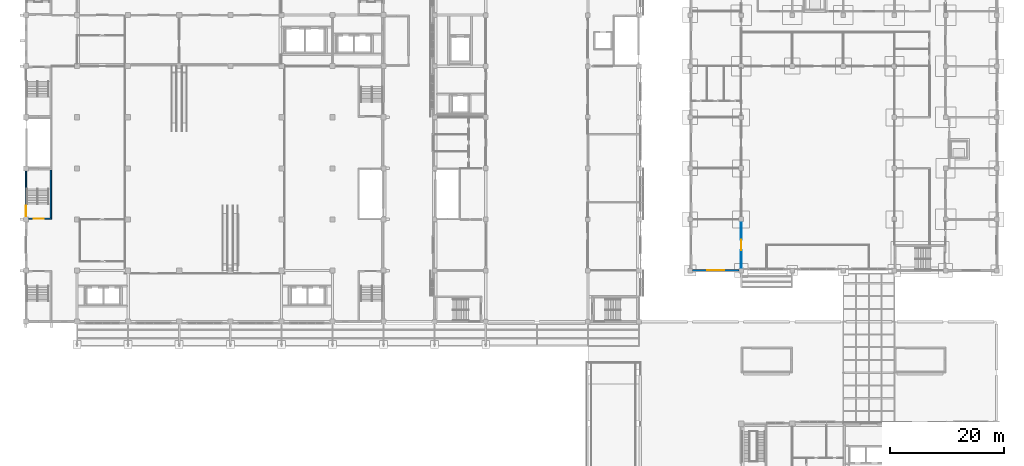
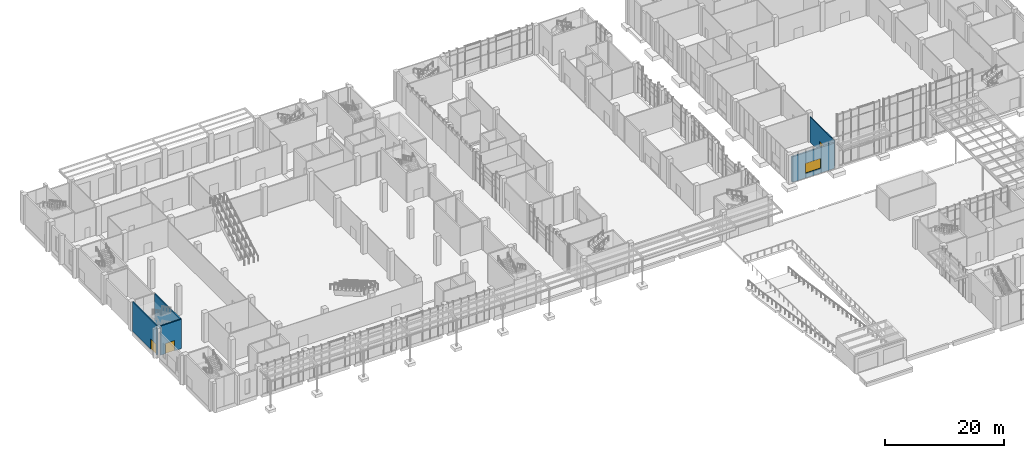
# One storey, part 52 of 86: 5 walls, 3 doors, 1 window, 4 openings.
"""IFC4 building model written with IfcOpenShell, lengths in metres."""

from ifc_helpers import new_model, si_unit, direction, frame, frame_2d, origin, place, context, subcontext, project, spatial, rectangle, extrude, material, layer, layer_set, type_object, element, fill, save


model = new_model("IFC4")

# Units and contexts
model_context = context("Model", 3, precision=1e-05, world=origin(), true_north=direction((0.0, 1.0)))
body_context = subcontext(model_context, "Body", "Model", "MODEL_VIEW")
ifc_project = project(units=[si_unit("LENGTHUNIT", "METRE"), si_unit("AREAUNIT", "SQUARE_METRE"), si_unit("VOLUMEUNIT", "CUBIC_METRE"), si_unit("PLANEANGLEUNIT", "RADIAN"), si_unit("MASSUNIT", "GRAM", prefix="KILO")], contexts=[model_context])

# Site, building, storey
site_placement = place(None, origin())
site = spatial("IfcSite", under=ifc_project, at=site_placement, CompositionType="ELEMENT")
building_placement = place(site_placement, origin())
building = spatial("IfcBuilding", under=site, at=building_placement, Name="Guidao Yard Department Store", CompositionType="ELEMENT")
storey_placement = place(building_placement, origin())
storey = spatial("IfcBuildingStorey", under=building, at=storey_placement, Name="L00", CompositionType="ELEMENT", Elevation=0.0)

# Wall, opening, window
ifc_material_1 = material(Name="Concrete C30", Category="concrete")
ifc_layer_1 = layer(ifc_material_1, 0.300048828125)
ifc_layer_set_1 = layer_set([ifc_layer_1], Name="Food hall wall 300 C30")
wall_type_1 = type_object("IfcWallType", Name="Food hall wall 300 C30", PredefinedType="SOLIDWALL", material=ifc_layer_set_1)
wall_1_placement = place(storey_placement, frame((125.60009765625, 54.0, 0.0), z_axis=(0.0, 0.0, 1.0), x_axis=(-1.0, 0.0, 0.0)))
wall_1 = element("IfcWall", 1, at=wall_1_placement, inside=storey, type_object=wall_type_1, Name="Food hall wall", PredefinedType="SOLIDWALL", context=body_context, shape_type="SweptSolid", body=[
    extrude(rectangle(XDim=8.2001953125, YDim=0.300048828125, at=frame_2d((4.10009765625, 0.0))), origin(), (0.0, 0.0, 1.0), 5.199951171875),
])
opening_1_placement = place(wall_1_placement, frame((2.60009765625, 0.0, 0.89990234375)))
opening_1 = element("IfcOpeningElement", 2, at=opening_1_placement, cuts=wall_1, Name="Opening WN-L00-E10", PredefinedType="OPENING", context=body_context, shape_type="SweptSolid", body=[
    extrude(rectangle(XDim=3.0, YDim=2.10009765625, at=frame_2d((1.5, 1.050048828125))), frame((0.0, 0.159912109375, 0.0), z_axis=(0.0, -1.0, 0.0), x_axis=(1.0, 0.0, 0.0)), (0.0, 0.0, 1.0), 0.320068359375),
])
ifc_material_2 = material(Name="Laminated glass in aluminium frame", Category="aluminium")
window_type = type_object("IfcWindowType", Name="Punched window PW2 3000 x 2100 fixed", PartitioningType="SINGLE_PANEL", PredefinedType="WINDOW", material=ifc_material_2)
window_placement = place(opening_1_placement, origin())
window = element("IfcWindow", 3, at=window_placement, inside=storey, type_object=window_type, Name="Punched window", OverallHeight=2.10009765625, OverallWidth=3.0, PartitioningType="SINGLE_PANEL", PredefinedType="WINDOW", context=body_context, shape_type="SweptSolid", body=[
    extrude(rectangle(XDim=3.0, YDim=2.10009765625, at=frame_2d((1.5, 1.050048828125))), frame((0.0, -0.030029296875, 0.0), z_axis=(0.0, -1.0, 0.0), x_axis=(1.0, 0.0, 0.0)), (0.0, 0.0, 1.0), 0.06005859375),
])
fill(opening_1, window)

# Wall, opening, door
ifc_material_3 = material(Name="Concrete block MU10", Category="concrete")
ifc_layer_2 = layer(ifc_material_3, 0.14990234375)
ifc_layer_set_2 = layer_set([ifc_layer_2], Name="Stall Front Wall F4 150 mm blockwork EI 60")
wall_type_2 = type_object("IfcWallType", Name="Stall Front Wall F4 150 mm blockwork EI 60", PredefinedType="PARTITIONING", material=ifc_layer_set_2)
wall_2_placement = place(storey_placement, frame((126.0, 54.39990234375, 0.0), z_axis=(0.0, 0.0, 1.0), x_axis=(0.0, 1.0, 0.0)))
wall_2 = element("IfcWall", 4, at=wall_2_placement, inside=storey, type_object=wall_type_2, Name="Wall W-L00-3003", PredefinedType="PARTITIONING", context=body_context, shape_type="SweptSolid", body=[
    extrude(rectangle(XDim=8.2001953125, YDim=0.14990234375, at=frame_2d((4.10009765625, 0.0))), origin(), (0.0, 0.0, 1.0), 5.199951171875),
])
opening_2_placement = place(wall_2_placement, frame((3.199951171875, 0.0, 0.0)))
opening_2 = element("IfcOpeningElement", 5, at=opening_2_placement, cuts=wall_2, Name="Opening L00-301", PredefinedType="OPENING", context=body_context, shape_type="SweptSolid", body=[
    extrude(rectangle(XDim=1.800048828125, YDim=2.10009765625, at=frame_2d((0.89990234375, 1.050048828125))), frame((0.0, 0.0849609375, 0.0), z_axis=(0.0, -1.0, 0.0), x_axis=(1.0, 0.0, 0.0)), (0.0, 0.0, 1.0), 0.169921875),
])
ifc_material_4 = material(Name="Timber door leaf", Category="wood")
door_type_1 = type_object("IfcDoorType", Name="Door FN2 double 1800 x 2100", OperationType="DOUBLE_DOOR_SINGLE_SWING", PredefinedType="DOOR", material=ifc_material_4)
door_1_placement = place(opening_2_placement, origin())
door_1 = element("IfcDoor", 6, at=door_1_placement, inside=storey, type_object=door_type_1, Name="Door L00-301", OperationType="DOUBLE_DOOR_SINGLE_SWING", OverallHeight=2.10009765625, OverallWidth=1.800048828125, PredefinedType="DOOR", context=body_context, shape_type="SweptSolid", body=[
    extrude(rectangle(XDim=1.800048828125, YDim=2.10009765625, at=frame_2d((0.89990234375, 1.050048828125))), frame((0.0, 0.02490234375, 0.0), z_axis=(0.0, -1.0, 0.0), x_axis=(1.0, 0.0, 0.0)), (0.0, 0.0, 1.0), 0.050048828125),
])
fill(opening_2, door_1)

ifc_material_5 = material(Name="Concrete C40", Category="concrete")
ifc_layer_3 = layer(ifc_material_5, 0.25)
ifc_layer_set_3 = layer_set([ifc_layer_3], Name="Wall RC 250 C40 stair and shaft")
wall_type_3 = type_object("IfcWallType", Name="Wall RC 250 C40 stair and shaft", PredefinedType="SHEAR", material=ifc_layer_set_3)
wall_3_placement = place(storey_placement, frame((0.449951171875, 63.125, 0.0), z_axis=(0.0, 0.0, 1.0), x_axis=(1.0, 0.0, 0.0)))
wall_3 = element("IfcWall", 7, at=wall_3_placement, inside=storey, type_object=wall_type_3, Name="Stair wall SA1", PredefinedType="SHEAR", context=body_context, shape_type="SweptSolid", body=[
    extrude(rectangle(XDim=4.050048828125, YDim=0.25, at=frame_2d((2.02490234375, 0.0))), origin(), (0.0, 0.0, 1.0), 6.0),
])
opening_3_placement = place(wall_3_placement, frame((0.89990234375, 0.0, 0.0)))
opening_3 = element("IfcOpeningElement", 8, at=opening_3_placement, cuts=wall_3, Name="Opening L00-808", PredefinedType="OPENING", context=body_context, shape_type="SweptSolid", body=[
    extrude(rectangle(XDim=1.800048828125, YDim=2.10009765625, at=frame_2d((0.89990234375, 1.050048828125))), frame((0.0, 0.135009765625, 0.0), z_axis=(0.0, -1.0, 0.0), x_axis=(1.0, 0.0, 0.0)), (0.0, 0.0, 1.0), 0.27001953125),
])
ifc_material_6 = material(Name="Steel Q235", Category="steel")
door_type_2 = type_object("IfcDoorType", Name="Door fire-resisting 1800 x 2100 FD60", OperationType="DOUBLE_DOOR_SINGLE_SWING", PredefinedType="DOOR", material=ifc_material_6)
door_2_placement = place(opening_3_placement, origin())
door_2 = element("IfcDoor", 9, at=door_2_placement, inside=storey, type_object=door_type_2, Name="Stair A1 door L00", OperationType="DOUBLE_DOOR_SINGLE_SWING", OverallHeight=2.10009765625, OverallWidth=1.800048828125, PredefinedType="DOOR", context=body_context, shape_type="SweptSolid", body=[
    extrude(rectangle(XDim=1.800048828125, YDim=2.10009765625, at=frame_2d((0.89990234375, 1.050048828125))), frame((0.0, 0.02490234375, 0.0), z_axis=(0.0, -1.0, 0.0), x_axis=(1.0, 0.0, 0.0)), (0.0, 0.0, 1.0), 0.050048828125),
])
fill(opening_3, door_2)

wall_4_placement = place(storey_placement, frame((0.0, 63.449951171875, 0.0), z_axis=(0.0, 0.0, 1.0), x_axis=(0.0, 1.0, 0.0)))
wall_4 = element("IfcWall", 10, at=wall_4_placement, inside=storey, type_object=wall_type_3, Name="Stair wall SA1", PredefinedType="SHEAR", context=body_context, shape_type="SweptSolid", body=[
    extrude(rectangle(XDim=8.10009765625, YDim=0.25, at=frame_2d((4.050048828125, 0.0))), origin(), (0.0, 0.0, 1.0), 6.0),
])
opening_4_placement = place(wall_4_placement, frame((0.14990234375, 0.0, 0.0)))
opening_4 = element("IfcOpeningElement", 11, at=opening_4_placement, cuts=wall_4, Name="Opening L00-809", PredefinedType="OPENING", context=body_context, shape_type="SweptSolid", body=[
    extrude(rectangle(XDim=1.800048828125, YDim=2.10009765625, at=frame_2d((0.89990234375, 1.050048828125))), frame((0.0, 0.135009765625, 0.0), z_axis=(0.0, -1.0, 0.0), x_axis=(1.0, 0.0, 0.0)), (0.0, 0.0, 1.0), 0.27001953125),
])
door_3_placement = place(opening_4_placement, origin())
door_3 = element("IfcDoor", 12, at=door_3_placement, inside=storey, type_object=door_type_2, Name="Stair A1 door L00 discharge", OperationType="DOUBLE_DOOR_SINGLE_SWING", OverallHeight=2.10009765625, OverallWidth=1.800048828125, PredefinedType="DOOR", context=body_context, shape_type="SweptSolid", body=[
    extrude(rectangle(XDim=1.800048828125, YDim=2.10009765625, at=frame_2d((0.89990234375, 1.050048828125))), frame((0.0, 0.02490234375, 0.0), z_axis=(0.0, -1.0, 0.0), x_axis=(1.0, 0.0, 0.0)), (0.0, 0.0, 1.0), 0.050048828125),
])
fill(opening_4, door_3)

# Wall
wall_5_placement = place(storey_placement, frame((4.375, 63.25, 0.0), z_axis=(0.0, 0.0, 1.0), x_axis=(0.0, 1.0, 0.0)))
element("IfcWall", 13, at=wall_5_placement, inside=storey, type_object=wall_type_3, Name="Stair wall SA1", PredefinedType="SHEAR", context=body_context, shape_type="SweptSolid", body=[
    extrude(rectangle(XDim=8.5, YDim=0.25, at=frame_2d((4.25, 0.0))), origin(), (0.0, 0.0, 1.0), 6.0),
])

save(model, "model.ifc")
